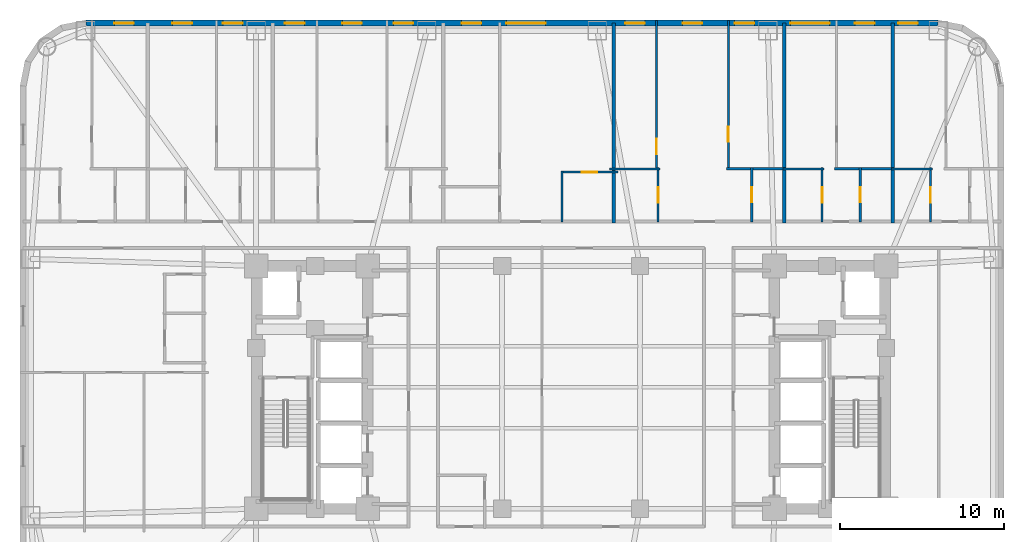
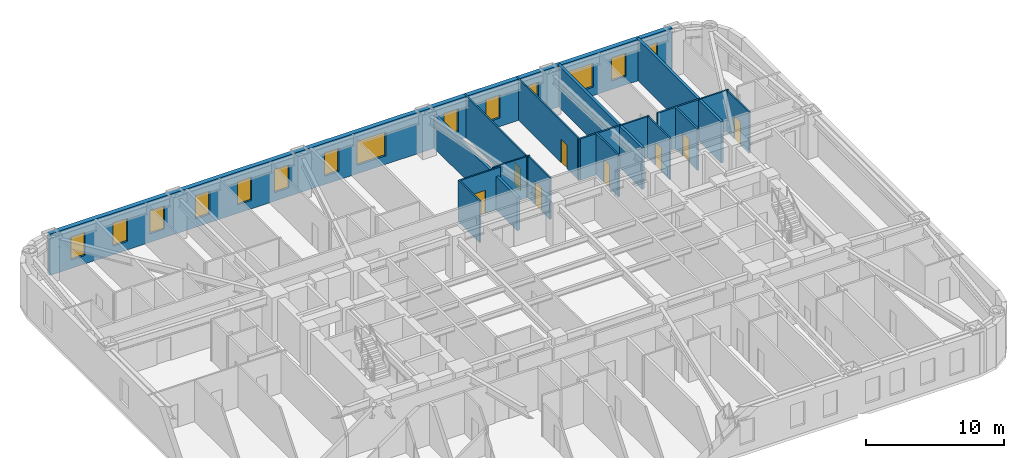
# One storey, part 8 of 11: 18 walls, 14 windows, 8 doors, 22 openings.
"""IFC4 building model written with IfcOpenShell, lengths in metres."""

from ifc_helpers import new_model, si_unit, direction, frame, frame_2d, origin, place, context, subcontext, project, spatial, rectangle, extrude, material, layer, layer_set, type_object, element, fill, save


model = new_model("IFC4")

# Units and contexts
model_context = context("Model", 3, precision=1e-05, world=origin(), true_north=direction((0.0, 1.0)))
body_context = subcontext(model_context, "Body", "Model", "MODEL_VIEW")
ifc_project = project(units=[si_unit("LENGTHUNIT", "METRE"), si_unit("AREAUNIT", "SQUARE_METRE"), si_unit("VOLUMEUNIT", "CUBIC_METRE"), si_unit("PLANEANGLEUNIT", "RADIAN"), si_unit("MASSUNIT", "GRAM", prefix="KILO")], contexts=[model_context])

# Site, building, storey
site_placement = place(None, origin())
site = spatial("IfcSite", under=ifc_project, at=site_placement, CompositionType="ELEMENT")
building_placement = place(site_placement, origin())
building = spatial("IfcBuilding", under=site, at=building_placement, Name="Voryun Gate Residences", CompositionType="ELEMENT")
storey_placement = place(building_placement, frame((0.0, 0.0, 45.5)))
storey = spatial("IfcBuildingStorey", under=building, at=storey_placement, Name="L10", CompositionType="ELEMENT", Elevation=45.5)

# Wall, openings, windows
ifc_material_1 = material(Name="Granite masonry", Category="masonry")
ifc_layer_1 = layer(ifc_material_1, 0.3798828125, Name="W_EXT_GRANITE_380")
ifc_layer_set_1 = layer_set([ifc_layer_1], Name="Granite masonry")
wall_type_1 = type_object("IfcWallType", Name="W_EXT_GRANITE_380", PredefinedType="ELEMENTEDWALL", material=ifc_layer_set_1)
wall_1_placement = place(storey_placement, frame((-29.581298828125, 22.2099609375, 0.0), z_axis=(0.0, 0.0, 1.0), x_axis=(1.0, 0.0, 0.0)))
wall_1 = element("IfcWall", 1, at=wall_1_placement, inside=storey, type_object=wall_type_1, Name="Exterior wall WEXT-L10-11", PredefinedType="ELEMENTEDWALL", context=body_context, shape_type="SweptSolid", body=[
    extrude(rectangle(XDim=51.962646484375, YDim=0.3798828125, at=frame_2d((25.9814453125, 0.0))), origin(), (0.0, 0.0, 1.0), 3.64990234375),
])
opening_1_placement = place(wall_1_placement, frame((25.63134765625, 0.0, 0.75)))
opening_1 = element("IfcOpeningElement", 2, at=opening_1_placement, cuts=wall_1, Name="Opening WN2", PredefinedType="OPENING", context=body_context, shape_type="SweptSolid", body=[
    extrude(rectangle(XDim=2.39990234375, YDim=2.10009765625, at=frame_2d((1.199951171875, 1.050048828125))), frame((0.0, 0.199951171875, 0.0), z_axis=(0.0, -1.0, 0.0), x_axis=(1.0, 0.0, 0.0)), (0.0, 0.0, 1.0), 0.39990234375),
])
opening_2_placement = place(wall_1_placement, frame((42.9521484375, 0.0, 0.75)))
opening_2 = element("IfcOpeningElement", 3, at=opening_2_placement, cuts=wall_1, Name="Opening WN2", PredefinedType="OPENING", context=body_context, shape_type="SweptSolid", body=[
    extrude(rectangle(XDim=2.39990234375, YDim=2.10009765625, at=frame_2d((1.199951171875, 1.050048828125))), frame((0.0, 0.199951171875, 0.0), z_axis=(0.0, -1.0, 0.0), x_axis=(1.0, 0.0, 0.0)), (0.0, 0.0, 1.0), 0.39990234375),
])
opening_3_placement = place(wall_1_placement, frame((1.731201171875, 0.0, 0.75)))
opening_3 = element("IfcOpeningElement", 4, at=opening_3_placement, cuts=wall_1, Name="Opening WN6", PredefinedType="OPENING", context=body_context, shape_type="SweptSolid", body=[
    extrude(rectangle(XDim=1.199951171875, YDim=2.050048828125, at=frame_2d((0.60009765625, 1.02490234375))), frame((0.0, 0.199951171875, 0.0), z_axis=(0.0, -1.0, 0.0), x_axis=(1.0, 0.0, 0.0)), (0.0, 0.0, 1.0), 0.39990234375),
])
opening_4_placement = place(wall_1_placement, frame((5.271728515625, 0.0, 0.75)))
opening_4 = element("IfcOpeningElement", 5, at=opening_4_placement, cuts=wall_1, Name="Opening WN6", PredefinedType="OPENING", context=body_context, shape_type="SweptSolid", body=[
    extrude(rectangle(XDim=1.199951171875, YDim=2.050048828125, at=frame_2d((0.60009765625, 1.02490234375))), frame((0.0, 0.199951171875, 0.0), z_axis=(0.0, -1.0, 0.0), x_axis=(1.0, 0.0, 0.0)), (0.0, 0.0, 1.0), 0.39990234375),
])
opening_5_placement = place(wall_1_placement, frame((8.356201171875, 0.0, 0.75)))
opening_5 = element("IfcOpeningElement", 6, at=opening_5_placement, cuts=wall_1, Name="Opening WN6", PredefinedType="OPENING", context=body_context, shape_type="SweptSolid", body=[
    extrude(rectangle(XDim=1.199951171875, YDim=2.050048828125, at=frame_2d((0.60009765625, 1.02490234375))), frame((0.0, 0.199951171875, 0.0), z_axis=(0.0, -1.0, 0.0), x_axis=(1.0, 0.0, 0.0)), (0.0, 0.0, 1.0), 0.39990234375),
])
opening_6_placement = place(wall_1_placement, frame((15.63232421875, 0.0, 0.75)))
opening_6 = element("IfcOpeningElement", 7, at=opening_6_placement, cuts=wall_1, Name="Opening WN6", PredefinedType="OPENING", context=body_context, shape_type="SweptSolid", body=[
    extrude(rectangle(XDim=1.199951171875, YDim=2.050048828125, at=frame_2d((0.60009765625, 1.02490234375))), frame((0.0, 0.199951171875, 0.0), z_axis=(0.0, -1.0, 0.0), x_axis=(1.0, 0.0, 0.0)), (0.0, 0.0, 1.0), 0.39990234375),
])
opening_7_placement = place(wall_1_placement, frame((12.13720703125, 0.0, 0.75)))
opening_7 = element("IfcOpeningElement", 8, at=opening_7_placement, cuts=wall_1, Name="Opening WN6", PredefinedType="OPENING", context=body_context, shape_type="SweptSolid", body=[
    extrude(rectangle(XDim=1.199951171875, YDim=2.050048828125, at=frame_2d((0.60009765625, 1.02490234375))), frame((0.0, 0.199951171875, 0.0), z_axis=(0.0, -1.0, 0.0), x_axis=(1.0, 0.0, 0.0)), (0.0, 0.0, 1.0), 0.39990234375),
])
opening_8_placement = place(wall_1_placement, frame((18.75634765625, 0.0, 0.75)))
opening_8 = element("IfcOpeningElement", 9, at=opening_8_placement, cuts=wall_1, Name="Opening WN6", PredefinedType="OPENING", context=body_context, shape_type="SweptSolid", body=[
    extrude(rectangle(XDim=1.199951171875, YDim=2.050048828125, at=frame_2d((0.60009765625, 1.02490234375))), frame((0.0, 0.199951171875, 0.0), z_axis=(0.0, -1.0, 0.0), x_axis=(1.0, 0.0, 0.0)), (0.0, 0.0, 1.0), 0.39990234375),
])
opening_9_placement = place(wall_1_placement, frame((22.9072265625, 0.0, 0.75)))
opening_9 = element("IfcOpeningElement", 10, at=opening_9_placement, cuts=wall_1, Name="Opening WN6", PredefinedType="OPENING", context=body_context, shape_type="SweptSolid", body=[
    extrude(rectangle(XDim=1.199951171875, YDim=2.050048828125, at=frame_2d((0.60009765625, 1.02490234375))), frame((0.0, 0.199951171875, 0.0), z_axis=(0.0, -1.0, 0.0), x_axis=(1.0, 0.0, 0.0)), (0.0, 0.0, 1.0), 0.39990234375),
])
opening_10_placement = place(wall_1_placement, frame((36.38134765625, 0.0, 0.75)))
opening_10 = element("IfcOpeningElement", 11, at=opening_10_placement, cuts=wall_1, Name="Opening WN6", PredefinedType="OPENING", context=body_context, shape_type="SweptSolid", body=[
    extrude(rectangle(XDim=1.199951171875, YDim=2.050048828125, at=frame_2d((0.60009765625, 1.02490234375))), frame((0.0, 0.199951171875, 0.0), z_axis=(0.0, -1.0, 0.0), x_axis=(1.0, 0.0, 0.0)), (0.0, 0.0, 1.0), 0.39990234375),
])
opening_11_placement = place(wall_1_placement, frame((32.88623046875, 0.0, 0.75)))
opening_11 = element("IfcOpeningElement", 12, at=opening_11_placement, cuts=wall_1, Name="Opening WN6", PredefinedType="OPENING", context=body_context, shape_type="SweptSolid", body=[
    extrude(rectangle(XDim=1.199951171875, YDim=2.050048828125, at=frame_2d((0.60009765625, 1.02490234375))), frame((0.0, 0.199951171875, 0.0), z_axis=(0.0, -1.0, 0.0), x_axis=(1.0, 0.0, 0.0)), (0.0, 0.0, 1.0), 0.39990234375),
])
opening_12_placement = place(wall_1_placement, frame((39.556396484375, 0.0, 0.75)))
opening_12 = element("IfcOpeningElement", 13, at=opening_12_placement, cuts=wall_1, Name="Opening WN6", PredefinedType="OPENING", context=body_context, shape_type="SweptSolid", body=[
    extrude(rectangle(XDim=1.199951171875, YDim=2.050048828125, at=frame_2d((0.60009765625, 1.02490234375))), frame((0.0, 0.199951171875, 0.0), z_axis=(0.0, -1.0, 0.0), x_axis=(1.0, 0.0, 0.0)), (0.0, 0.0, 1.0), 0.39990234375),
])
opening_13_placement = place(wall_1_placement, frame((46.88525390625, 0.0, 0.75)))
opening_13 = element("IfcOpeningElement", 14, at=opening_13_placement, cuts=wall_1, Name="Opening WN6", PredefinedType="OPENING", context=body_context, shape_type="SweptSolid", body=[
    extrude(rectangle(XDim=1.199951171875, YDim=2.050048828125, at=frame_2d((0.60009765625, 1.02490234375))), frame((0.0, 0.199951171875, 0.0), z_axis=(0.0, -1.0, 0.0), x_axis=(1.0, 0.0, 0.0)), (0.0, 0.0, 1.0), 0.39990234375),
])
opening_14_placement = place(wall_1_placement, frame((49.531494140625, 0.0, 0.75)))
opening_14 = element("IfcOpeningElement", 15, at=opening_14_placement, cuts=wall_1, Name="Opening WN6", PredefinedType="OPENING", context=body_context, shape_type="SweptSolid", body=[
    extrude(rectangle(XDim=1.199951171875, YDim=2.050048828125, at=frame_2d((0.60009765625, 1.02490234375))), frame((0.0, 0.199951171875, 0.0), z_axis=(0.0, -1.0, 0.0), x_axis=(1.0, 0.0, 0.0)), (0.0, 0.0, 1.0), 0.39990234375),
])
ifc_material_2 = material(Name="Laminated low-E glass", Category="glass")
window_type_1 = type_object("IfcWindowType", Name="WN_POD_SLOT_1200", PartitioningType="SINGLE_PANEL", PredefinedType="WINDOW", material=ifc_material_2)
window_1_placement = place(opening_3_placement, origin())
window_1 = element("IfcWindow", 16, at=window_1_placement, inside=storey, type_object=window_type_1, Name="Window WN-L10-DWFIX-02", OverallHeight=2.050048828125, OverallWidth=1.199951171875, PartitioningType="SINGLE_PANEL", PredefinedType="WINDOW", context=body_context, shape_type="SweptSolid", body=[
    extrude(rectangle(XDim=1.199951171875, YDim=2.050048828125, at=frame_2d((0.60009765625, 1.02490234375))), frame((0.0, 0.030029296875, 0.0), z_axis=(0.0, -1.0, 0.0), x_axis=(1.0, 0.0, 0.0)), (0.0, 0.0, 1.0), 0.06005859375),
])
fill(opening_3, window_1)
window_2_placement = place(opening_4_placement, origin())
window_2 = element("IfcWindow", 17, at=window_2_placement, inside=storey, type_object=window_type_1, Name="Window WN-L10-DWFIX-03", OverallHeight=2.050048828125, OverallWidth=1.199951171875, PartitioningType="SINGLE_PANEL", PredefinedType="WINDOW", context=body_context, shape_type="SweptSolid", body=[
    extrude(rectangle(XDim=1.199951171875, YDim=2.050048828125, at=frame_2d((0.60009765625, 1.02490234375))), frame((0.0, 0.030029296875, 0.0), z_axis=(0.0, -1.0, 0.0), x_axis=(1.0, 0.0, 0.0)), (0.0, 0.0, 1.0), 0.06005859375),
])
fill(opening_4, window_2)
window_3_placement = place(opening_5_placement, origin())
window_3 = element("IfcWindow", 18, at=window_3_placement, inside=storey, type_object=window_type_1, Name="Window WN-L10-DWFIX-04", OverallHeight=2.050048828125, OverallWidth=1.199951171875, PartitioningType="SINGLE_PANEL", PredefinedType="WINDOW", context=body_context, shape_type="SweptSolid", body=[
    extrude(rectangle(XDim=1.199951171875, YDim=2.050048828125, at=frame_2d((0.60009765625, 1.02490234375))), frame((0.0, 0.030029296875, 0.0), z_axis=(0.0, -1.0, 0.0), x_axis=(1.0, 0.0, 0.0)), (0.0, 0.0, 1.0), 0.06005859375),
])
fill(opening_5, window_3)
window_4_placement = place(opening_6_placement, origin())
window_4 = element("IfcWindow", 19, at=window_4_placement, inside=storey, type_object=window_type_1, Name="Window WN-L10-DWFIX-05", OverallHeight=2.050048828125, OverallWidth=1.199951171875, PartitioningType="SINGLE_PANEL", PredefinedType="WINDOW", context=body_context, shape_type="SweptSolid", body=[
    extrude(rectangle(XDim=1.199951171875, YDim=2.050048828125, at=frame_2d((0.60009765625, 1.02490234375))), frame((0.0, 0.030029296875, 0.0), z_axis=(0.0, -1.0, 0.0), x_axis=(1.0, 0.0, 0.0)), (0.0, 0.0, 1.0), 0.06005859375),
])
fill(opening_6, window_4)
window_5_placement = place(opening_7_placement, origin())
window_5 = element("IfcWindow", 20, at=window_5_placement, inside=storey, type_object=window_type_1, Name="Window WN-L10-DWFIX-06", OverallHeight=2.050048828125, OverallWidth=1.199951171875, PartitioningType="SINGLE_PANEL", PredefinedType="WINDOW", context=body_context, shape_type="SweptSolid", body=[
    extrude(rectangle(XDim=1.199951171875, YDim=2.050048828125, at=frame_2d((0.60009765625, 1.02490234375))), frame((0.0, 0.030029296875, 0.0), z_axis=(0.0, -1.0, 0.0), x_axis=(1.0, 0.0, 0.0)), (0.0, 0.0, 1.0), 0.06005859375),
])
fill(opening_7, window_5)
window_6_placement = place(opening_8_placement, origin())
window_6 = element("IfcWindow", 21, at=window_6_placement, inside=storey, type_object=window_type_1, Name="Window WN-L10-DWFIX-07", OverallHeight=2.050048828125, OverallWidth=1.199951171875, PartitioningType="SINGLE_PANEL", PredefinedType="WINDOW", context=body_context, shape_type="SweptSolid", body=[
    extrude(rectangle(XDim=1.199951171875, YDim=2.050048828125, at=frame_2d((0.60009765625, 1.02490234375))), frame((0.0, 0.030029296875, 0.0), z_axis=(0.0, -1.0, 0.0), x_axis=(1.0, 0.0, 0.0)), (0.0, 0.0, 1.0), 0.06005859375),
])
fill(opening_8, window_6)
window_7_placement = place(opening_9_placement, origin())
window_7 = element("IfcWindow", 22, at=window_7_placement, inside=storey, type_object=window_type_1, Name="Window WN-L10-DWFIX-08", OverallHeight=2.050048828125, OverallWidth=1.199951171875, PartitioningType="SINGLE_PANEL", PredefinedType="WINDOW", context=body_context, shape_type="SweptSolid", body=[
    extrude(rectangle(XDim=1.199951171875, YDim=2.050048828125, at=frame_2d((0.60009765625, 1.02490234375))), frame((0.0, 0.030029296875, 0.0), z_axis=(0.0, -1.0, 0.0), x_axis=(1.0, 0.0, 0.0)), (0.0, 0.0, 1.0), 0.06005859375),
])
fill(opening_9, window_7)
window_8_placement = place(opening_10_placement, origin())
window_8 = element("IfcWindow", 23, at=window_8_placement, inside=storey, type_object=window_type_1, Name="Window WN-L10-DWFIX-09", OverallHeight=2.050048828125, OverallWidth=1.199951171875, PartitioningType="SINGLE_PANEL", PredefinedType="WINDOW", context=body_context, shape_type="SweptSolid", body=[
    extrude(rectangle(XDim=1.199951171875, YDim=2.050048828125, at=frame_2d((0.60009765625, 1.02490234375))), frame((0.0, 0.030029296875, 0.0), z_axis=(0.0, -1.0, 0.0), x_axis=(1.0, 0.0, 0.0)), (0.0, 0.0, 1.0), 0.06005859375),
])
fill(opening_10, window_8)
window_9_placement = place(opening_11_placement, origin())
window_9 = element("IfcWindow", 24, at=window_9_placement, inside=storey, type_object=window_type_1, Name="Window WN-L10-DWFIX-10", OverallHeight=2.050048828125, OverallWidth=1.199951171875, PartitioningType="SINGLE_PANEL", PredefinedType="WINDOW", context=body_context, shape_type="SweptSolid", body=[
    extrude(rectangle(XDim=1.199951171875, YDim=2.050048828125, at=frame_2d((0.60009765625, 1.02490234375))), frame((0.0, 0.030029296875, 0.0), z_axis=(0.0, -1.0, 0.0), x_axis=(1.0, 0.0, 0.0)), (0.0, 0.0, 1.0), 0.06005859375),
])
fill(opening_11, window_9)
window_10_placement = place(opening_12_placement, origin())
window_10 = element("IfcWindow", 25, at=window_10_placement, inside=storey, type_object=window_type_1, Name="Window WN-L10-DWFIX-11", OverallHeight=2.050048828125, OverallWidth=1.199951171875, PartitioningType="SINGLE_PANEL", PredefinedType="WINDOW", context=body_context, shape_type="SweptSolid", body=[
    extrude(rectangle(XDim=1.199951171875, YDim=2.050048828125, at=frame_2d((0.60009765625, 1.02490234375))), frame((0.0, 0.030029296875, 0.0), z_axis=(0.0, -1.0, 0.0), x_axis=(1.0, 0.0, 0.0)), (0.0, 0.0, 1.0), 0.06005859375),
])
fill(opening_12, window_10)
window_11_placement = place(opening_13_placement, origin())
window_11 = element("IfcWindow", 26, at=window_11_placement, inside=storey, type_object=window_type_1, Name="Window WN-L10-DWFIX-12", OverallHeight=2.050048828125, OverallWidth=1.199951171875, PartitioningType="SINGLE_PANEL", PredefinedType="WINDOW", context=body_context, shape_type="SweptSolid", body=[
    extrude(rectangle(XDim=1.199951171875, YDim=2.050048828125, at=frame_2d((0.60009765625, 1.02490234375))), frame((0.0, 0.030029296875, 0.0), z_axis=(0.0, -1.0, 0.0), x_axis=(1.0, 0.0, 0.0)), (0.0, 0.0, 1.0), 0.06005859375),
])
fill(opening_13, window_11)
window_12_placement = place(opening_14_placement, origin())
window_12 = element("IfcWindow", 27, at=window_12_placement, inside=storey, type_object=window_type_1, Name="Window WN-L10-DWFIX-13", OverallHeight=2.050048828125, OverallWidth=1.199951171875, PartitioningType="SINGLE_PANEL", PredefinedType="WINDOW", context=body_context, shape_type="SweptSolid", body=[
    extrude(rectangle(XDim=1.199951171875, YDim=2.050048828125, at=frame_2d((0.60009765625, 1.02490234375))), frame((0.0, 0.030029296875, 0.0), z_axis=(0.0, -1.0, 0.0), x_axis=(1.0, 0.0, 0.0)), (0.0, 0.0, 1.0), 0.06005859375),
])
fill(opening_14, window_12)
ifc_material_3 = material(Name="Laminated low-E glass", Category="glass")
window_type_2 = type_object("IfcWindowType", Name="WN_RES_WIDE_2400", PartitioningType="SINGLE_PANEL", PredefinedType="WINDOW", material=ifc_material_3)
window_13_placement = place(opening_1_placement, origin())
window_13 = element("IfcWindow", 28, at=window_13_placement, inside=storey, type_object=window_type_2, Name="Window WN-WEXT-L10-11-02", OverallHeight=2.10009765625, OverallWidth=2.39990234375, PartitioningType="SINGLE_PANEL", PredefinedType="WINDOW", context=body_context, shape_type="SweptSolid", body=[
    extrude(rectangle(XDim=2.39990234375, YDim=2.10009765625, at=frame_2d((1.199951171875, 1.050048828125))), frame((0.0, 0.030029296875, 0.0), z_axis=(0.0, -1.0, 0.0), x_axis=(1.0, 0.0, 0.0)), (0.0, 0.0, 1.0), 0.06005859375),
])
fill(opening_1, window_13)
window_14_placement = place(opening_2_placement, origin())
window_14 = element("IfcWindow", 29, at=window_14_placement, inside=storey, type_object=window_type_2, Name="Window WN-WEXT-L10-11-03", OverallHeight=2.10009765625, OverallWidth=2.39990234375, PartitioningType="SINGLE_PANEL", PredefinedType="WINDOW", context=body_context, shape_type="SweptSolid", body=[
    extrude(rectangle(XDim=2.39990234375, YDim=2.10009765625, at=frame_2d((1.199951171875, 1.050048828125))), frame((0.0, 0.030029296875, 0.0), z_axis=(0.0, -1.0, 0.0), x_axis=(1.0, 0.0, 0.0)), (0.0, 0.0, 1.0), 0.06005859375),
])
fill(opening_2, window_14)

# Walls
ifc_material_4 = material(Name="Concrete C40/50", Category="concrete")
ifc_layer_2 = layer(ifc_material_4, 0.219970703125, Name="W_PARTY_ACOUSTIC_220")
ifc_layer_set_2 = layer_set([ifc_layer_2], Name="Concrete C40/50")
wall_type_2 = type_object("IfcWallType", Name="W_PARTY_ACOUSTIC_220", PredefinedType="PARTITIONING", material=ifc_layer_set_2)
wall_2_placement = place(storey_placement, frame((2.60009765625, 10.02001953125, 0.0), z_axis=(0.0, 0.0, 1.0), x_axis=(0.0, 1.0, 0.0)))
element("IfcWall", 30, at=wall_2_placement, inside=storey, type_object=wall_type_2, Name="Partition wall WP-L10-NPTY-4", PredefinedType="PARTITIONING", context=body_context, shape_type="SweptSolid", body=[
    extrude(rectangle(XDim=12.18994140625, YDim=0.219970703125, at=frame_2d((6.094970703125, 0.0))), origin(), (0.0, 0.0, 1.0), 2.93994140625),
])
for number, where, z_axis, x_axis, name in (
    (31, (13.0, 10.02001953125, 0.0), (0.0, 0.0, 1.0), (0.0, 1.0, 0.0), "Partition wall WP-L10-NPTY-5"),
    (32, (19.60888671875, 10.02001953125, 0.0), (0.0, 0.0, 1.0), (0.0, 1.0, 0.0), "Partition wall WP-L10-NPTY-6"),
):
    element("IfcWall", number, at=place(storey_placement, frame(where, z_axis=z_axis, x_axis=x_axis)), inside=storey, type_object=wall_type_2, Name=name, PredefinedType="PARTITIONING", context=body_context, shape_type="SweptSolid", body=[
        extrude(rectangle(XDim=12.18994140625, YDim=0.219970703125, at=frame_2d((6.094970703125, 0.0))), origin(), (0.0, 0.0, 1.0), 3.64990234375),
    ])

# Wall, opening, door
ifc_material_5 = material(Name="Gypsum acoustic partition")
ifc_layer_3 = layer(ifc_material_5, 0.125, Name="W_UNIT_PART_125")
ifc_layer_set_3 = layer_set([ifc_layer_3], Name="Gypsum acoustic partition")
wall_type_3 = type_object("IfcWallType", Name="W_UNIT_PART_125", PredefinedType="PARTITIONING", material=ifc_layer_set_3)
wall_3_placement = place(storey_placement, frame((-0.6201171875, 13.1201171875, 0.0), z_axis=(0.0, 0.0, 1.0), x_axis=(1.0, 0.0, 0.0)))
wall_3 = element("IfcWall", 33, at=wall_3_placement, inside=storey, type_object=wall_type_3, Name="Partition wall WP-L10-N4-KHY", PredefinedType="PARTITIONING", context=body_context, shape_type="SweptSolid", body=[
    extrude(rectangle(XDim=3.480224609375, YDim=0.125, at=frame_2d((1.740234375, 0.0))), origin(), (0.0, 0.0, 1.0), 3.64990234375),
])
opening_15_placement = place(wall_3_placement, frame((1.264892578125, 0.0, 0.0)))
opening_15 = element("IfcOpeningElement", 34, at=opening_15_placement, cuts=wall_3, Name="Opening D-INT-1", PredefinedType="OPENING", context=body_context, shape_type="SweptSolid", body=[
    extrude(rectangle(XDim=0.949951171875, YDim=2.050048828125, at=frame_2d((0.47509765625, 1.02490234375))), frame((0.0, 0.072509765625, 0.0), z_axis=(0.0, -1.0, 0.0), x_axis=(1.0, 0.0, 0.0)), (0.0, 0.0, 1.0), 0.14501953125),
])
ifc_material_6 = material(Name="Architectural oak veneer")
door_type_1 = type_object("IfcDoorType", Name="DR_INT_ROOM_950", OperationType="NOTDEFINED", PredefinedType="DOOR", material=ifc_material_6)
door_1_placement = place(opening_15_placement, origin())
door_1 = element("IfcDoor", 35, at=door_1_placement, inside=storey, type_object=door_type_1, Name="Door DR-L10-N4-DK", OperationType="SINGLE_SWING_LEFT", OverallHeight=2.050048828125, OverallWidth=0.949951171875, PredefinedType="DOOR", context=body_context, shape_type="SweptSolid", body=[
    extrude(rectangle(XDim=0.949951171875, YDim=2.050048828125, at=frame_2d((0.47509765625, 1.02490234375))), frame((0.0, 0.02490234375, 0.0), z_axis=(0.0, -1.0, 0.0), x_axis=(1.0, 0.0, 0.0)), (0.0, 0.0, 1.0), 0.050048828125),
])
fill(opening_15, door_1)

# Wall
wall_4_placement = place(storey_placement, frame((-0.56005859375, 10.080078125, 0.0), z_axis=(0.0, 0.0, 1.0), x_axis=(0.0, 1.0, 0.0)))
element("IfcWall", 36, at=wall_4_placement, inside=storey, type_object=wall_type_3, Name="Partition wall WP-L10-N4-KVX", PredefinedType="PARTITIONING", context=body_context, shape_type="SweptSolid", body=[
    extrude(rectangle(XDim=3.099853515625, YDim=0.125, at=frame_2d((1.5498046875, 0.0))), origin(), (0.0, 0.0, 1.0), 3.64990234375),
])

# Wall, opening, door
wall_5_placement = place(storey_placement, frame((5.2099609375, 13.239990234375, 0.0), z_axis=(0.0, 0.0, 1.0), x_axis=(0.0, 1.0, 0.0)))
wall_5 = element("IfcWall", 37, at=wall_5_placement, inside=storey, type_object=wall_type_3, Name="Partition wall WP-L10-N5-OVL", PredefinedType="PARTITIONING", context=body_context, shape_type="SweptSolid", body=[
    extrude(rectangle(XDim=9.1201171875, YDim=0.125, at=frame_2d((4.56005859375, 0.0))), origin(), (0.0, 0.0, 1.0), 3.64990234375),
])
opening_16_placement = place(wall_5_placement, frame((0.984130859375, 0.0, 0.0)))
opening_16 = element("IfcOpeningElement", 38, at=opening_16_placement, cuts=wall_5, Name="Opening D-INT-1", PredefinedType="OPENING", context=body_context, shape_type="SweptSolid", body=[
    extrude(rectangle(XDim=0.949951171875, YDim=2.050048828125, at=frame_2d((0.47509765625, 1.02490234375))), frame((0.0, 0.072509765625, 0.0), z_axis=(0.0, -1.0, 0.0), x_axis=(1.0, 0.0, 0.0)), (0.0, 0.0, 1.0), 0.14501953125),
])
door_2_placement = place(opening_16_placement, origin())
door_2 = element("IfcDoor", 39, at=door_2_placement, inside=storey, type_object=door_type_1, Name="Door DR-L10-N5-DB2", OperationType="SINGLE_SWING_LEFT", OverallHeight=2.050048828125, OverallWidth=0.949951171875, PredefinedType="DOOR", context=body_context, shape_type="SweptSolid", body=[
    extrude(rectangle(XDim=0.949951171875, YDim=2.050048828125, at=frame_2d((0.47509765625, 1.02490234375))), frame((0.0, 0.02490234375, 0.0), z_axis=(0.0, -1.0, 0.0), x_axis=(1.0, 0.0, 0.0)), (0.0, 0.0, 1.0), 0.050048828125),
])
fill(opening_16, door_2)

wall_6_placement = place(storey_placement, frame((9.590087890625, 13.239990234375, 0.0), z_axis=(0.0, 0.0, 1.0), x_axis=(0.0, 1.0, 0.0)))
wall_6 = element("IfcWall", 40, at=wall_6_placement, inside=storey, type_object=wall_type_3, Name="Partition wall WP-L10-N5-OVR", PredefinedType="PARTITIONING", context=body_context, shape_type="SweptSolid", body=[
    extrude(rectangle(XDim=9.1201171875, YDim=0.125, at=frame_2d((4.56005859375, 0.0))), origin(), (0.0, 0.0, 1.0), 3.64990234375),
])
opening_17_placement = place(wall_6_placement, frame((1.73876953125, 0.0, 0.0)))
opening_17 = element("IfcOpeningElement", 41, at=opening_17_placement, cuts=wall_6, Name="Opening D-INT-2", PredefinedType="OPENING", context=body_context, shape_type="SweptSolid", body=[
    extrude(rectangle(XDim=0.89990234375, YDim=2.050048828125, at=frame_2d((0.449951171875, 1.02490234375))), frame((0.0, 0.072509765625, 0.0), z_axis=(0.0, -1.0, 0.0), x_axis=(1.0, 0.0, 0.0)), (0.0, 0.0, 1.0), 0.14501953125),
])
ifc_material_7 = material(Name="Architectural oak veneer")
door_type_2 = type_object("IfcDoorType", Name="DR_INT_BATH_900", OperationType="NOTDEFINED", PredefinedType="DOOR", material=ifc_material_7)
door_3_placement = place(opening_17_placement, origin())
door_3 = element("IfcDoor", 42, at=door_3_placement, inside=storey, type_object=door_type_2, Name="Door DR-L10-N5-DMB", OperationType="SINGLE_SWING_RIGHT", OverallHeight=2.050048828125, OverallWidth=0.89990234375, PredefinedType="DOOR", context=body_context, shape_type="SweptSolid", body=[
    extrude(rectangle(XDim=0.89990234375, YDim=2.050048828125, at=frame_2d((0.449951171875, 1.02490234375))), frame((0.0, 0.02490234375, 0.0), z_axis=(0.0, -1.0, 0.0), x_axis=(1.0, 0.0, 0.0)), (0.0, 0.0, 1.0), 0.050048828125),
])
fill(opening_17, door_3)

wall_7_placement = place(storey_placement, frame((5.31201171875, 10.080078125, 0.0), z_axis=(0.0, 0.0, 1.0), x_axis=(0.0, 1.0, 0.0)))
wall_7 = element("IfcWall", 43, at=wall_7_placement, inside=storey, type_object=wall_type_3, Name="Partition wall WP-L10-N5-IVK", PredefinedType="PARTITIONING", context=body_context, shape_type="SweptSolid", body=[
    extrude(rectangle(XDim=3.31982421875, YDim=0.125, at=frame_2d((1.659912109375, 0.0))), origin(), (0.0, 0.0, 1.0), 3.64990234375),
])
opening_18_placement = place(wall_7_placement, frame((1.18505859375, 0.0, 0.0)))
opening_18 = element("IfcOpeningElement", 44, at=opening_18_placement, cuts=wall_7, Name="Opening D-INT-1", PredefinedType="OPENING", context=body_context, shape_type="SweptSolid", body=[
    extrude(rectangle(XDim=0.949951171875, YDim=2.050048828125, at=frame_2d((0.47509765625, 1.02490234375))), frame((0.0, 0.072509765625, 0.0), z_axis=(0.0, -1.0, 0.0), x_axis=(1.0, 0.0, 0.0)), (0.0, 0.0, 1.0), 0.14501953125),
])
door_4_placement = place(opening_18_placement, origin())
door_4 = element("IfcDoor", 45, at=door_4_placement, inside=storey, type_object=door_type_1, Name="Door DR-L10-N5-DK", OperationType="SINGLE_SWING_LEFT", OverallHeight=2.050048828125, OverallWidth=0.949951171875, PredefinedType="DOOR", context=body_context, shape_type="SweptSolid", body=[
    extrude(rectangle(XDim=0.949951171875, YDim=2.050048828125, at=frame_2d((0.47509765625, 1.02490234375))), frame((0.0, 0.02490234375, 0.0), z_axis=(0.0, -1.0, 0.0), x_axis=(1.0, 0.0, 0.0)), (0.0, 0.0, 1.0), 0.050048828125),
])
fill(opening_18, door_4)

# Wall
wall_8_placement = place(storey_placement, frame((2.340087890625, 13.320068359375, 0.0), z_axis=(0.0, 0.0, 1.0), x_axis=(1.0, 0.0, 0.0)))
element("IfcWall", 46, at=wall_8_placement, inside=storey, type_object=wall_type_3, Name="Partition wall WP-L10-N5-HZK", PredefinedType="PARTITIONING", context=body_context, shape_type="SweptSolid", body=[
    extrude(rectangle(XDim=3.091796875, YDim=0.125, at=frame_2d((1.5458984375, 0.0))), origin(), (0.0, 0.0, 1.0), 3.64990234375),
])

# Wall, opening, door
wall_9_placement = place(storey_placement, frame((15.31005859375, 10.080078125, 0.0), z_axis=(0.0, 0.0, 1.0), x_axis=(0.0, 1.0, 0.0)))
wall_9 = element("IfcWall", 47, at=wall_9_placement, inside=storey, type_object=wall_type_3, Name="Partition wall WP-L10-N6-IVK", PredefinedType="PARTITIONING", context=body_context, shape_type="SweptSolid", body=[
    extrude(rectangle(XDim=3.31982421875, YDim=0.125, at=frame_2d((1.659912109375, 0.0))), origin(), (0.0, 0.0, 1.0), 3.64990234375),
])
opening_19_placement = place(wall_9_placement, frame((1.18505859375, 0.0, 0.0)))
opening_19 = element("IfcOpeningElement", 48, at=opening_19_placement, cuts=wall_9, Name="Opening D-INT-1", PredefinedType="OPENING", context=body_context, shape_type="SweptSolid", body=[
    extrude(rectangle(XDim=0.949951171875, YDim=2.050048828125, at=frame_2d((0.47509765625, 1.02490234375))), frame((0.0, 0.072509765625, 0.0), z_axis=(0.0, -1.0, 0.0), x_axis=(1.0, 0.0, 0.0)), (0.0, 0.0, 1.0), 0.14501953125),
])
door_5_placement = place(opening_19_placement, origin())
door_5 = element("IfcDoor", 49, at=door_5_placement, inside=storey, type_object=door_type_1, Name="Door DR-L10-N6-DK", OperationType="SINGLE_SWING_LEFT", OverallHeight=2.050048828125, OverallWidth=0.949951171875, PredefinedType="DOOR", context=body_context, shape_type="SweptSolid", body=[
    extrude(rectangle(XDim=0.949951171875, YDim=2.050048828125, at=frame_2d((0.47509765625, 1.02490234375))), frame((0.0, 0.02490234375, 0.0), z_axis=(0.0, -1.0, 0.0), x_axis=(1.0, 0.0, 0.0)), (0.0, 0.0, 1.0), 0.050048828125),
])
fill(opening_19, door_5)

# Wall
wall_10_placement = place(storey_placement, frame((12.925048828125, 13.320068359375, 0.0), z_axis=(0.0, 0.0, 1.0), x_axis=(1.0, 0.0, 0.0)))
element("IfcWall", 50, at=wall_10_placement, inside=storey, type_object=wall_type_3, Name="Partition wall WP-L10-N6-HZK", PredefinedType="PARTITIONING", context=body_context, shape_type="SweptSolid", body=[
    extrude(rectangle(XDim=2.5048828125, YDim=0.125, at=frame_2d((1.25244140625, 0.0))), origin(), (0.0, 0.0, 1.0), 3.64990234375),
])

# Wall, opening, door
wall_11_placement = place(storey_placement, frame((21.9189453125, 10.080078125, 0.0), z_axis=(0.0, 0.0, 1.0), x_axis=(0.0, 1.0, 0.0)))
wall_11 = element("IfcWall", 51, at=wall_11_placement, inside=storey, type_object=wall_type_3, Name="Partition wall WP-L10-N7-IVK", PredefinedType="PARTITIONING", context=body_context, shape_type="SweptSolid", body=[
    extrude(rectangle(XDim=3.31982421875, YDim=0.125, at=frame_2d((1.659912109375, 0.0))), origin(), (0.0, 0.0, 1.0), 3.64990234375),
])
opening_20_placement = place(wall_11_placement, frame((1.18505859375, 0.0, 0.0)))
opening_20 = element("IfcOpeningElement", 52, at=opening_20_placement, cuts=wall_11, Name="Opening D-INT-1", PredefinedType="OPENING", context=body_context, shape_type="SweptSolid", body=[
    extrude(rectangle(XDim=0.949951171875, YDim=2.050048828125, at=frame_2d((0.47509765625, 1.02490234375))), frame((0.0, 0.072509765625, 0.0), z_axis=(0.0, -1.0, 0.0), x_axis=(1.0, 0.0, 0.0)), (0.0, 0.0, 1.0), 0.14501953125),
])
door_6_placement = place(opening_20_placement, origin())
door_6 = element("IfcDoor", 53, at=door_6_placement, inside=storey, type_object=door_type_1, Name="Door DR-L10-N7-DK", OperationType="SINGLE_SWING_LEFT", OverallHeight=2.050048828125, OverallWidth=0.949951171875, PredefinedType="DOOR", context=body_context, shape_type="SweptSolid", body=[
    extrude(rectangle(XDim=0.949951171875, YDim=2.050048828125, at=frame_2d((0.47509765625, 1.02490234375))), frame((0.0, 0.02490234375, 0.0), z_axis=(0.0, -1.0, 0.0), x_axis=(1.0, 0.0, 0.0)), (0.0, 0.0, 1.0), 0.050048828125),
])
fill(opening_20, door_6)

# Walls
wall_12_placement = place(storey_placement, frame((19.533935546875, 13.320068359375, 0.0), z_axis=(0.0, 0.0, 1.0), x_axis=(1.0, 0.0, 0.0)))
element("IfcWall", 54, at=wall_12_placement, inside=storey, type_object=wall_type_3, Name="Partition wall WP-L10-N7-HZK", PredefinedType="PARTITIONING", context=body_context, shape_type="SweptSolid", body=[
    extrude(rectangle(XDim=2.505126953125, YDim=0.125, at=frame_2d((1.25244140625, 0.0))), origin(), (0.0, 0.0, 1.0), 3.64990234375),
])
ifc_material_8 = material(Name="Gypsum moisture-resistant partition")
ifc_layer_4 = layer(ifc_material_8, 0.14990234375, Name="W_WET_PLUMB_150")
ifc_layer_set_4 = layer_set([ifc_layer_4], Name="Gypsum moisture-resistant partition")
wall_type_4 = type_object("IfcWallType", Name="W_WET_PLUMB_150", PredefinedType="PLUMBINGWALL", material=ifc_layer_set_4)
wall_13_placement = place(storey_placement, frame((9.469970703125, 13.320068359375, 0.0), z_axis=(0.0, 0.0, 1.0), x_axis=(1.0, 0.0, 0.0)))
element("IfcWall", 55, at=wall_13_placement, inside=storey, type_object=wall_type_4, Name="Partition wall WP-L10-N5-HZB", PredefinedType="PLUMBINGWALL", context=body_context, shape_type="SweptSolid", body=[
    extrude(rectangle(XDim=3.60498046875, YDim=0.14990234375, at=frame_2d((1.802490234375, 0.0))), origin(), (0.0, 0.0, 1.0), 3.64990234375),
])

# Wall, opening, door
wall_14_placement = place(storey_placement, frame((11.02001953125, 10.080078125, 0.0), z_axis=(0.0, 0.0, 1.0), x_axis=(0.0, 1.0, 0.0)))
wall_14 = element("IfcWall", 56, at=wall_14_placement, inside=storey, type_object=wall_type_4, Name="Partition wall WP-L10-N5-IVB", PredefinedType="PLUMBINGWALL", context=body_context, shape_type="SweptSolid", body=[
    extrude(rectangle(XDim=3.31982421875, YDim=0.14990234375, at=frame_2d((1.659912109375, 0.0))), origin(), (0.0, 0.0, 1.0), 3.64990234375),
])
opening_21_placement = place(wall_14_placement, frame((1.2099609375, 0.0, 0.0)))
opening_21 = element("IfcOpeningElement", 57, at=opening_21_placement, cuts=wall_14, Name="Opening D-INT-2", PredefinedType="OPENING", context=body_context, shape_type="SweptSolid", body=[
    extrude(rectangle(XDim=0.89990234375, YDim=2.050048828125, at=frame_2d((0.449951171875, 1.02490234375))), frame((0.0, 0.0849609375, 0.0), z_axis=(0.0, -1.0, 0.0), x_axis=(1.0, 0.0, 0.0)), (0.0, 0.0, 1.0), 0.169921875),
])
door_7_placement = place(opening_21_placement, origin())
door_7 = element("IfcDoor", 58, at=door_7_placement, inside=storey, type_object=door_type_2, Name="Door DR-L10-N5-DB", OperationType="SINGLE_SWING_RIGHT", OverallHeight=2.050048828125, OverallWidth=0.89990234375, PredefinedType="DOOR", context=body_context, shape_type="SweptSolid", body=[
    extrude(rectangle(XDim=0.89990234375, YDim=2.050048828125, at=frame_2d((0.449951171875, 1.02490234375))), frame((0.0, 0.02490234375, 0.0), z_axis=(0.0, -1.0, 0.0), x_axis=(1.0, 0.0, 0.0)), (0.0, 0.0, 1.0), 0.050048828125),
])
fill(opening_21, door_7)

# Wall
wall_15_placement = place(storey_placement, frame((16.0791015625, 13.320068359375, 0.0), z_axis=(0.0, 0.0, 1.0), x_axis=(1.0, 0.0, 0.0)))
element("IfcWall", 59, at=wall_15_placement, inside=storey, type_object=wall_type_4, Name="Partition wall WP-L10-N6-HZB", PredefinedType="PLUMBINGWALL", context=body_context, shape_type="SweptSolid", body=[
    extrude(rectangle(XDim=3.60498046875, YDim=0.14990234375, at=frame_2d((1.802490234375, 0.0))), origin(), (0.0, 0.0, 1.0), 3.64990234375),
])

# Wall, opening, door
wall_16_placement = place(storey_placement, frame((17.62890625, 10.080078125, 0.0), z_axis=(0.0, 0.0, 1.0), x_axis=(0.0, 1.0, 0.0)))
wall_16 = element("IfcWall", 60, at=wall_16_placement, inside=storey, type_object=wall_type_4, Name="Partition wall WP-L10-N6-IVB", PredefinedType="PLUMBINGWALL", context=body_context, shape_type="SweptSolid", body=[
    extrude(rectangle(XDim=3.31982421875, YDim=0.14990234375, at=frame_2d((1.659912109375, 0.0))), origin(), (0.0, 0.0, 1.0), 3.64990234375),
])
opening_22_placement = place(wall_16_placement, frame((1.2099609375, 0.0, 0.0)))
opening_22 = element("IfcOpeningElement", 61, at=opening_22_placement, cuts=wall_16, Name="Opening D-INT-2", PredefinedType="OPENING", context=body_context, shape_type="SweptSolid", body=[
    extrude(rectangle(XDim=0.89990234375, YDim=2.050048828125, at=frame_2d((0.449951171875, 1.02490234375))), frame((0.0, 0.0849609375, 0.0), z_axis=(0.0, -1.0, 0.0), x_axis=(1.0, 0.0, 0.0)), (0.0, 0.0, 1.0), 0.169921875),
])
door_8_placement = place(opening_22_placement, origin())
door_8 = element("IfcDoor", 62, at=door_8_placement, inside=storey, type_object=door_type_2, Name="Door DR-L10-N6-DB", OperationType="SINGLE_SWING_RIGHT", OverallHeight=2.050048828125, OverallWidth=0.89990234375, PredefinedType="DOOR", context=body_context, shape_type="SweptSolid", body=[
    extrude(rectangle(XDim=0.89990234375, YDim=2.050048828125, at=frame_2d((0.449951171875, 1.02490234375))), frame((0.0, 0.02490234375, 0.0), z_axis=(0.0, -1.0, 0.0), x_axis=(1.0, 0.0, 0.0)), (0.0, 0.0, 1.0), 0.050048828125),
])
fill(opening_22, door_8)

save(model, "model.ifc")
